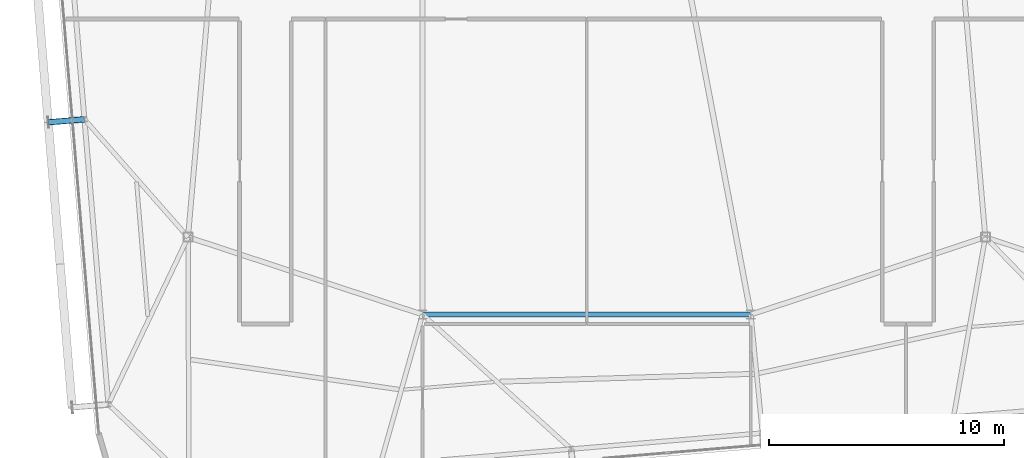
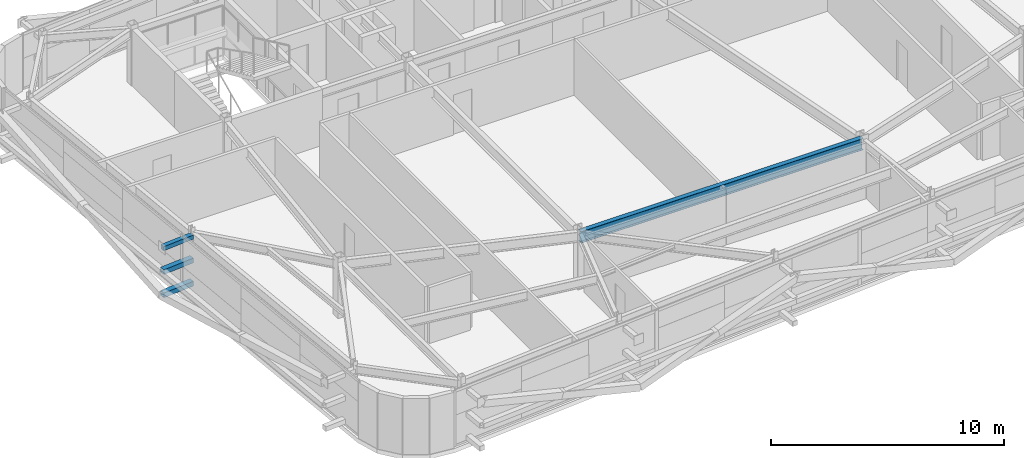
# One storey, part 11 of 37: 3 members, 1 beam.
"""IFC4 building model written with IfcOpenShell, lengths in metres."""

from ifc_helpers import new_model, si_unit, direction, frame, origin, origin_2d, place, context, subcontext, project, spatial, hollow_rectangle, i_section, extrude, source, transform, mapped, material, material_profile, profile_set, type_object, element, save


model = new_model("IFC4")

# Units and contexts
model_context = context("Model", 3, precision=1e-05, world=origin(), true_north=direction((0.0, 1.0)))
body_context = subcontext(model_context, "Body", "Model", "MODEL_VIEW")
ifc_project = project(units=[si_unit("LENGTHUNIT", "METRE"), si_unit("AREAUNIT", "SQUARE_METRE"), si_unit("VOLUMEUNIT", "CUBIC_METRE"), si_unit("PLANEANGLEUNIT", "RADIAN"), si_unit("MASSUNIT", "GRAM", prefix="KILO")], contexts=[model_context])

# Site, building, storey
site_placement = place(None, origin())
site = spatial("IfcSite", under=ifc_project, at=site_placement, CompositionType="ELEMENT")
building_placement = place(site_placement, origin())
building = spatial("IfcBuilding", under=site, at=building_placement, Name="Taldren Reach Tower", CompositionType="ELEMENT")
storey_placement = place(building_placement, frame((0.0, 0.0, 200.89990234375)))
storey = spatial("IfcBuildingStorey", under=building, at=storey_placement, Name="L61", CompositionType="ELEMENT", Elevation=200.89990234375)

# Beam
ifc_material_1 = material(Name="Steel Gr 350 (350PLUS)", Category="steel")
ifc_material_profile_1 = material_profile(ifc_material_1, i_section(OverallWidth=0.22802734375, OverallDepth=0.60205078125, WebThickness=0.010498046875, FlangeThickness=0.014892578125, at=origin_2d()), Name="610UB101")
ifc_profile_set_1 = profile_set([ifc_material_profile_1], Name="Steel Gr 350 (350PLUS)")
beam_type = type_object("IfcBeamType", Name="BM-UB610B", PredefinedType="BEAM", material=ifc_profile_set_1)
shared_shape_1 = source(origin(), body_context, "Body", "SweptSolid", [
    extrude(i_section(OverallWidth=0.22802734375, OverallDepth=0.60205078125, WebThickness=0.010498046875, FlangeThickness=0.014892578125, at=origin_2d()), origin(), (0.0, 0.0, 1.0), 14.0),
])
beam_placement = place(storey_placement, frame((28.0, 9.199951171875, 2.629150390625), z_axis=(1.0, 0.0, 0.0), x_axis=(0.0, 1.0, 0.0)))
element("IfcBeam", 1, at=beam_placement, inside=storey, type_object=beam_type, Name="Core-spine girder L61-SP11", PredefinedType="BEAM", context=body_context, shape_type="MappedRepresentation", body=[
    mapped(shared_shape_1, transform((0.0, 0.0, 0.0), scale=1.0)),
])

# Members
ifc_material_2 = material(Name="Steel Gr 450 (C450L0)", Category="steel")
ifc_material_profile_2 = material_profile(ifc_material_2, hollow_rectangle(XDim=0.219970703125, YDim=0.219970703125, WallThickness=0.00830078125, at=origin_2d()), Name="220x220x8.2SHS")
ifc_profile_set_2 = profile_set([ifc_material_profile_2], Name="Steel Gr 450 (C450L0)")
member_type_1 = type_object("IfcMemberType", Name="MB-TIE219", PredefinedType="STRUT", material=ifc_profile_set_2)
shared_shape_2 = source(origin(), body_context, "Body", "SweptSolid", [
    extrude(hollow_rectangle(XDim=0.219970703125, YDim=0.219970703125, WallThickness=0.00830078125, at=origin_2d()), origin(), (0.0, 0.0, 1.0), 1.54541015625),
])
member_placement = place(storey_placement, frame((13.578125, 17.52490234375, 2.650146484375), z_axis=(-0.99648887425, -0.083725285883, 0.0), x_axis=(0.083725285883, -0.99648887425, 0.0)))
element("IfcMember", 2, at=member_placement, inside=storey, type_object=member_type_1, Name="Exoskeleton diaphragm tie strut B4-W2 L61", PredefinedType="STRUT", context=body_context, shape_type="MappedRepresentation", body=[
    mapped(shared_shape_2, transform((0.0, 0.0, 0.0), scale=1.0)),
])
ifc_material_3 = material(Name="Steel Gr 350 (C350L0)", Category="steel")
ifc_material_profile_3 = material_profile(ifc_material_3, hollow_rectangle(XDim=0.25, YDim=0.25, WallThickness=0.010009765625, at=origin_2d()), Name="250x250x10.0SHS")
ifc_profile_set_3 = profile_set([ifc_material_profile_3], Name="Steel Gr 350 (C350L0)")
member_type_2 = type_object("IfcMemberType", Name="MB-POST250", PredefinedType="POST", material=ifc_profile_set_3)
shared_shape_3 = source(origin(), body_context, "Body", "SweptSolid", [
    extrude(hollow_rectangle(XDim=0.25, YDim=0.25, WallThickness=0.010009765625, at=origin_2d()), origin(), (0.0, 0.0, 1.0), 1.54541015625),
])
for number, where, z_axis, x_axis, name in (
    (3, (13.578125, 17.52490234375, 0.22021484375), (-0.99648887425, -0.083725285883, 0.0), (0.083725285883, -0.99648887425, 0.0), "Exoskeleton base diaphragm tie strut B4-W2 L61"),
    (4, (13.578125, 17.52490234375, 1.43505859375), (-0.99648887425, -0.083725285883, 0.0), (0.083725285883, -0.99648887425, 0.0), "Exoskeleton mid-tier diaphragm tie B4-W2 L61"),
):
    element("IfcMember", number, at=place(storey_placement, frame(where, z_axis=z_axis, x_axis=x_axis)), inside=storey, type_object=member_type_2, Name=name, PredefinedType="POST", context=body_context, shape_type="MappedRepresentation", body=[
        mapped(shared_shape_3, transform((0.0, 0.0, 0.0), scale=1.0)),
    ])

save(model, "model.ifc")
